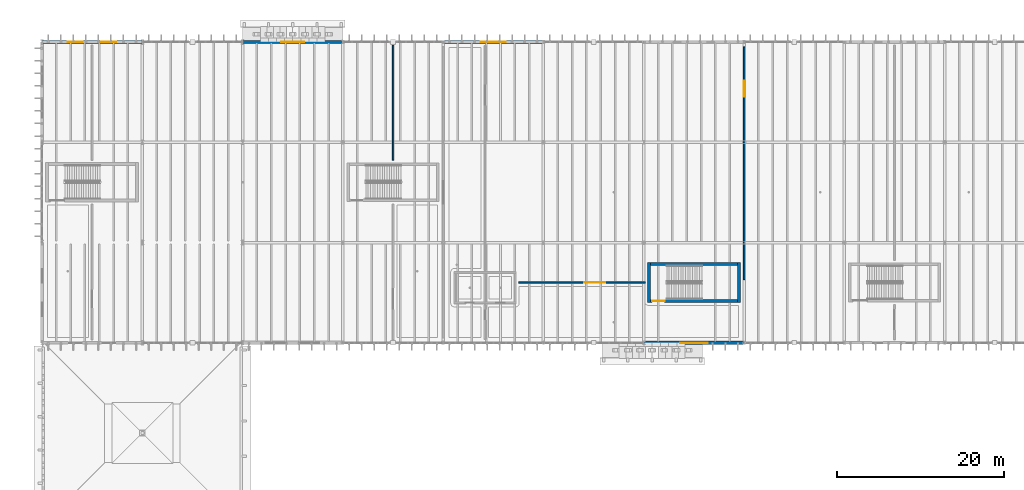
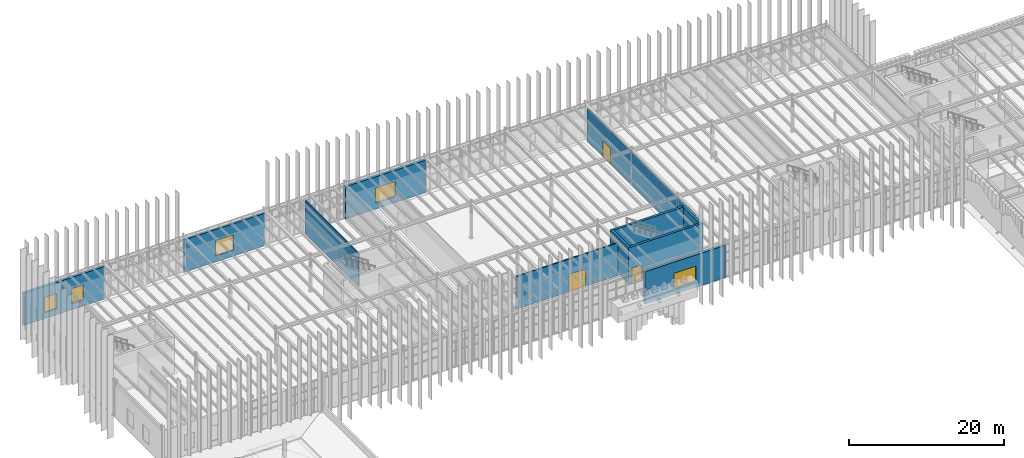
# One storey, part 47 of 83: 11 walls, 5 windows, 3 doors, 8 openings.
"""IFC4 building model written with IfcOpenShell, lengths in metres."""

from ifc_helpers import new_model, si_unit, direction, frame, frame_2d, origin, place, context, subcontext, project, spatial, rectangle, extrude, material, layer, layer_set, type_object, element, fill, save


model = new_model("IFC4")

# Units and contexts
model_context = context("Model", 3, precision=1e-05, world=origin(), true_north=direction((0.0, 1.0)))
body_context = subcontext(model_context, "Body", "Model", "MODEL_VIEW")
ifc_project = project(units=[si_unit("LENGTHUNIT", "METRE"), si_unit("AREAUNIT", "SQUARE_METRE"), si_unit("VOLUMEUNIT", "CUBIC_METRE"), si_unit("PLANEANGLEUNIT", "RADIAN"), si_unit("MASSUNIT", "GRAM", prefix="KILO")], contexts=[model_context])

# Site, building, storey
site_placement = place(None, origin())
site = spatial("IfcSite", under=ifc_project, at=site_placement, CompositionType="ELEMENT")
building_placement = place(site_placement, origin())
building = spatial("IfcBuilding", under=site, at=building_placement, Name="Zlatogorsky Bluff Art Gallery", CompositionType="ELEMENT")
storey_placement = place(building_placement, frame((0.0, 0.0, 10.800048828125)))
storey = spatial("IfcBuildingStorey", under=building, at=storey_placement, Name="L02", CompositionType="ELEMENT", Elevation=10.800048828125)

# Wall, openings, windows
ifc_material_1 = material(Name="Precast concrete C40/50", Category="concrete")
ifc_layer_1 = layer(ifc_material_1, 0.39990234375)
ifc_layer_set_1 = layer_set([ifc_layer_1], Name="Exterior Wall EW-02 400mm")
wall_type_1 = type_object("IfcWallType", Name="Exterior Wall EW-02 400mm", PredefinedType="SOLIDWALL", material=ifc_layer_set_1)
wall_1_placement = place(storey_placement, frame((12.0, 120.0, 0.0), z_axis=(0.0, 0.0, 1.0), x_axis=(-1.0, 0.0, 0.0)))
wall_1 = element("IfcWall", 1, at=wall_1_placement, inside=storey, type_object=wall_type_1, Name="Exterior wall EW-02 L02 N 0.10", PredefinedType="SOLIDWALL", context=body_context, shape_type="SweptSolid", body=[
    extrude(rectangle(XDim=12.0, YDim=0.39990234375, at=frame_2d((6.0, 0.0))), origin(), (0.0, 0.0, 1.0), 5.10986328125),
])
opening_1_placement = place(wall_1_placement, frame((3.10009765625, 0.0, 0.949951171875)))
opening_1 = element("IfcOpeningElement", 2, at=opening_1_placement, cuts=wall_1, Name="Opening WN-43", PredefinedType="OPENING", context=body_context, shape_type="SweptSolid", body=[
    extrude(rectangle(XDim=1.800048828125, YDim=2.39990234375, at=frame_2d((0.89990234375, 1.199951171875))), frame((0.0, 0.2099609375, 0.0), z_axis=(0.0, -1.0, 0.0), x_axis=(1.0, 0.0, 0.0)), (0.0, 0.0, 1.0), 0.419921875),
])
opening_2_placement = place(wall_1_placement, frame((7.10009765625, 0.0, 0.949951171875)))
opening_2 = element("IfcOpeningElement", 3, at=opening_2_placement, cuts=wall_1, Name="Opening WN-43", PredefinedType="OPENING", context=body_context, shape_type="SweptSolid", body=[
    extrude(rectangle(XDim=1.800048828125, YDim=2.39990234375, at=frame_2d((0.89990234375, 1.199951171875))), frame((0.0, 0.2099609375, 0.0), z_axis=(0.0, -1.0, 0.0), x_axis=(1.0, 0.0, 0.0)), (0.0, 0.0, 1.0), 0.419921875),
])
ifc_material_2 = material(Name="Bronze-Anodised Aluminium Triple Glazing", Category="aluminium")
window_type_1 = type_object("IfcWindowType", Name="Pointed-Reveal Window WN-43 1800x2400", PartitioningType="SINGLE_PANEL", PredefinedType="WINDOW", material=ifc_material_2)
window_1_placement = place(opening_1_placement, origin())
window_1 = element("IfcWindow", 4, at=window_1_placement, inside=storey, type_object=window_type_1, Name="Window WN-43 L02.N.0.10.1", OverallHeight=2.39990234375, OverallWidth=1.800048828125, PartitioningType="SINGLE_PANEL", PredefinedType="WINDOW", context=body_context, shape_type="SweptSolid", body=[
    extrude(rectangle(XDim=1.800048828125, YDim=2.39990234375, at=frame_2d((0.89990234375, 1.199951171875))), frame((0.0, 0.030029296875, 0.0), z_axis=(0.0, -1.0, 0.0), x_axis=(1.0, 0.0, 0.0)), (0.0, 0.0, 1.0), 0.06005859375),
])
fill(opening_1, window_1)
window_2_placement = place(opening_2_placement, origin())
window_2 = element("IfcWindow", 5, at=window_2_placement, inside=storey, type_object=window_type_1, Name="Window WN-43 L02.N.0.10.2", OverallHeight=2.39990234375, OverallWidth=1.800048828125, PartitioningType="SINGLE_PANEL", PredefinedType="WINDOW", context=body_context, shape_type="SweptSolid", body=[
    extrude(rectangle(XDim=1.800048828125, YDim=2.39990234375, at=frame_2d((0.89990234375, 1.199951171875))), frame((0.0, 0.030029296875, 0.0), z_axis=(0.0, -1.0, 0.0), x_axis=(1.0, 0.0, 0.0)), (0.0, 0.0, 1.0), 0.06005859375),
])
fill(opening_2, window_2)

# Wall, opening, window
wall_2_placement = place(storey_placement, frame((60.0, 120.0, 0.0), z_axis=(0.0, 0.0, 1.0), x_axis=(-1.0, 0.0, 0.0)))
wall_2 = element("IfcWall", 6, at=wall_2_placement, inside=storey, type_object=wall_type_1, Name="Exterior wall EW-02 L02 N 4.10", PredefinedType="SOLIDWALL", context=body_context, shape_type="SweptSolid", body=[
    extrude(rectangle(XDim=12.0, YDim=0.39990234375, at=frame_2d((6.0, 0.0))), origin(), (0.0, 0.0, 1.0), 5.10986328125),
])
opening_3_placement = place(wall_2_placement, frame((4.5, 0.0, 0.949951171875)))
opening_3 = element("IfcOpeningElement", 7, at=opening_3_placement, cuts=wall_2, Name="Opening WN-47", PredefinedType="OPENING", context=body_context, shape_type="SweptSolid", body=[
    extrude(rectangle(XDim=3.0, YDim=2.39990234375, at=frame_2d((1.5, 1.199951171875))), frame((0.0, 0.2099609375, 0.0), z_axis=(0.0, -1.0, 0.0), x_axis=(1.0, 0.0, 0.0)), (0.0, 0.0, 1.0), 0.419921875),
])
window_type_2 = type_object("IfcWindowType", Name="Pointed-Reveal Window WN-47 3000x2400", PartitioningType="SINGLE_PANEL", PredefinedType="WINDOW", material=ifc_material_2)
window_3_placement = place(opening_3_placement, origin())
window_3 = element("IfcWindow", 8, at=window_3_placement, inside=storey, type_object=window_type_2, Name="Window WN-47 L02.N.4.10.1", OverallHeight=2.39990234375, OverallWidth=3.0, PartitioningType="SINGLE_PANEL", PredefinedType="WINDOW", context=body_context, shape_type="SweptSolid", body=[
    extrude(rectangle(XDim=3.0, YDim=2.39990234375, at=frame_2d((1.5, 1.199951171875))), frame((0.0, 0.030029296875, 0.0), z_axis=(0.0, -1.0, 0.0), x_axis=(1.0, 0.0, 0.0)), (0.0, 0.0, 1.0), 0.06005859375),
])
fill(opening_3, window_3)

wall_3_placement = place(storey_placement, frame((72.0, 84.0, 0.0), z_axis=(0.0, 0.0, 1.0), x_axis=(1.0, 0.0, 0.0)))
wall_3 = element("IfcWall", 9, at=wall_3_placement, inside=storey, type_object=wall_type_1, Name="Exterior wall EW-02 L02 S 6.8", PredefinedType="SOLIDWALL", context=body_context, shape_type="SweptSolid", body=[
    extrude(rectangle(XDim=12.0, YDim=0.39990234375, at=frame_2d((6.0, 0.0))), origin(), (0.0, 0.0, 1.0), 5.10986328125),
])
opening_4_placement = place(wall_3_placement, frame((4.35009765625, 0.0, 0.949951171875)))
opening_4 = element("IfcOpeningElement", 10, at=opening_4_placement, cuts=wall_3, Name="Opening WN-48", PredefinedType="OPENING", context=body_context, shape_type="SweptSolid", body=[
    extrude(rectangle(XDim=3.300048828125, YDim=2.39990234375, at=frame_2d((1.64990234375, 1.199951171875))), frame((0.0, 0.2099609375, 0.0), z_axis=(0.0, -1.0, 0.0), x_axis=(1.0, 0.0, 0.0)), (0.0, 0.0, 1.0), 0.419921875),
])
window_type_3 = type_object("IfcWindowType", Name="Pointed-Reveal Window WN-48 3300x2400", PartitioningType="SINGLE_PANEL", PredefinedType="WINDOW", material=ifc_material_2)
window_4_placement = place(opening_4_placement, origin())
window_4 = element("IfcWindow", 11, at=window_4_placement, inside=storey, type_object=window_type_3, Name="Window WN-48 L02.S.6.8.1", OverallHeight=2.39990234375, OverallWidth=3.300048828125, PartitioningType="SINGLE_PANEL", PredefinedType="WINDOW", context=body_context, shape_type="SweptSolid", body=[
    extrude(rectangle(XDim=3.300048828125, YDim=2.39990234375, at=frame_2d((1.64990234375, 1.199951171875))), frame((0.0, 0.030029296875, 0.0), z_axis=(0.0, -1.0, 0.0), x_axis=(1.0, 0.0, 0.0)), (0.0, 0.0, 1.0), 0.06005859375),
])
fill(opening_4, window_4)

ifc_layer_2 = layer(ifc_material_1, 0.320068359375)
ifc_layer_set_2 = layer_set([ifc_layer_2], Name="Exterior Wall EW-04 320mm")
wall_type_2 = type_object("IfcWallType", Name="Exterior Wall EW-04 320mm", PredefinedType="SOLIDWALL", material=ifc_layer_set_2)
wall_4_placement = place(storey_placement, frame((36.0, 120.0, 0.0), z_axis=(0.0, 0.0, 1.0), x_axis=(-1.0, 0.0, 0.0)))
wall_4 = element("IfcWall", 12, at=wall_4_placement, inside=storey, type_object=wall_type_2, Name="Exterior wall EW-04 L02 N 2.10", PredefinedType="SOLIDWALL", context=body_context, shape_type="SweptSolid", body=[
    extrude(rectangle(XDim=12.0, YDim=0.320068359375, at=frame_2d((6.0, 0.0))), origin(), (0.0, 0.0, 1.0), 5.10986328125),
])
opening_5_placement = place(wall_4_placement, frame((4.64990234375, 0.0, 0.949951171875)))
opening_5 = element("IfcOpeningElement", 13, at=opening_5_placement, cuts=wall_4, Name="Opening WN-46", PredefinedType="OPENING", context=body_context, shape_type="SweptSolid", body=[
    extrude(rectangle(XDim=2.699951171875, YDim=2.39990234375, at=frame_2d((1.35009765625, 1.199951171875))), frame((0.0, 0.169921875, 0.0), z_axis=(0.0, -1.0, 0.0), x_axis=(1.0, 0.0, 0.0)), (0.0, 0.0, 1.0), 0.340087890625),
])
window_type_4 = type_object("IfcWindowType", Name="Pointed-Reveal Window WN-46 2700x2400", PartitioningType="SINGLE_PANEL", PredefinedType="WINDOW", material=ifc_material_2)
window_5_placement = place(opening_5_placement, origin())
window_5 = element("IfcWindow", 14, at=window_5_placement, inside=storey, type_object=window_type_4, Name="Window WN-46 L02.N.2.10.1", OverallHeight=2.39990234375, OverallWidth=2.699951171875, PartitioningType="SINGLE_PANEL", PredefinedType="WINDOW", context=body_context, shape_type="SweptSolid", body=[
    extrude(rectangle(XDim=2.699951171875, YDim=2.39990234375, at=frame_2d((1.35009765625, 1.199951171875))), frame((0.0, 0.030029296875, 0.0), z_axis=(0.0, -1.0, 0.0), x_axis=(1.0, 0.0, 0.0)), (0.0, 0.0, 1.0), 0.06005859375),
])
fill(opening_5, window_5)

# Wall
ifc_material_3 = material(Name="Concrete C30/37", Category="concrete")
ifc_layer_3 = layer(ifc_material_3, 0.179931640625)
ifc_layer_set_3 = layer_set([ifc_layer_3], Name="Interior Wall IW-02 180mm")
wall_type_3 = type_object("IfcWallType", Name="Interior Wall IW-02 180mm", PredefinedType="PARTITIONING", material=ifc_layer_set_3)
wall_5_placement = place(storey_placement, frame((42.0, 105.8701171875, 0.0), z_axis=(0.0, 0.0, 1.0), x_axis=(0.0, 1.0, 0.0)))
element("IfcWall", 15, at=wall_5_placement, inside=storey, type_object=wall_type_3, Name="Partition IW-02 between L02-G1-12 and L02-G1-13-S2", PredefinedType="PARTITIONING", context=body_context, shape_type="SweptSolid", body=[
    extrude(rectangle(XDim=13.75, YDim=0.179931640625, at=frame_2d((6.875, 0.0))), origin(), (0.0, 0.0, 1.0), 5.179931640625),
])

# Wall, opening, door
wall_6_placement = place(storey_placement, frame((57.02001953125, 91.22509765625, 0.0), z_axis=(0.0, 0.0, 1.0), x_axis=(1.0, 0.0, 0.0)))
wall_6 = element("IfcWall", 16, at=wall_6_placement, inside=storey, type_object=wall_type_3, Name="Partition IW-02 between L02-G2-12 and L02-G2-13", PredefinedType="PARTITIONING", context=body_context, shape_type="SweptSolid", body=[
    extrude(rectangle(XDim=15.159912109375, YDim=0.179931640625, at=frame_2d((7.580078125, 0.0))), origin(), (0.0, 0.0, 1.0), 5.179931640625),
])
opening_6_placement = place(wall_6_placement, frame((7.845947265625, 0.0, 0.0)))
opening_6 = element("IfcOpeningElement", 17, at=opening_6_placement, cuts=wall_6, Name="Opening ID-15", PredefinedType="OPENING", context=body_context, shape_type="SweptSolid", body=[
    extrude(rectangle(XDim=2.5, YDim=2.75, at=frame_2d((1.25, 1.375))), frame((0.0, 0.099853515625, 0.0), z_axis=(0.0, -1.0, 0.0), x_axis=(1.0, 0.0, 0.0)), (0.0, 0.0, 1.0), 0.199951171875),
])
ifc_material_4 = material(Name="Anodised Aluminium and Laminated Timber", Category="wood")
door_type_1 = type_object("IfcDoorType", Name="Interior Door ID-15 2500x2750", OperationType="DOUBLE_DOOR_SINGLE_SWING", PredefinedType="DOOR", material=ifc_material_4)
door_1_placement = place(opening_6_placement, origin())
door_1 = element("IfcDoor", 18, at=door_1_placement, inside=storey, type_object=door_type_1, Name="Door ID-15 L02-G2-12-L02-G2-13", OperationType="DOUBLE_DOOR_SINGLE_SWING", OverallHeight=2.75, OverallWidth=2.5, PredefinedType="DOOR", context=body_context, shape_type="SweptSolid", body=[
    extrude(rectangle(XDim=2.5, YDim=2.75, at=frame_2d((1.25, 1.375))), frame((0.0, 0.02490234375, 0.0), z_axis=(0.0, -1.0, 0.0), x_axis=(1.0, 0.0, 0.0)), (0.0, 0.0, 1.0), 0.050048828125),
])
fill(opening_6, door_1)

wall_7_placement = place(storey_placement, frame((84.0, 91.5625, 0.0), z_axis=(0.0, 0.0, 1.0), x_axis=(0.0, 1.0, 0.0)))
wall_7 = element("IfcWall", 19, at=wall_7_placement, inside=storey, type_object=wall_type_3, Name="Partition IW-02 between L02-G2-13 and L02-G3-11", PredefinedType="PARTITIONING", context=body_context, shape_type="SweptSolid", body=[
    extrude(rectangle(XDim=27.843017578125, YDim=0.179931640625, at=frame_2d((13.92138671875, 0.0))), origin(), (0.0, 0.0, 1.0), 5.179931640625),
])
opening_7_placement = place(wall_7_placement, frame((21.85595703125, 0.0, 0.0)))
opening_7 = element("IfcOpeningElement", 20, at=opening_7_placement, cuts=wall_7, Name="Opening ID-12", PredefinedType="OPENING", context=body_context, shape_type="SweptSolid", body=[
    extrude(rectangle(XDim=1.949951171875, YDim=2.449951171875, at=frame_2d((0.97509765625, 1.22509765625))), frame((0.0, 0.099853515625, 0.0), z_axis=(0.0, -1.0, 0.0), x_axis=(1.0, 0.0, 0.0)), (0.0, 0.0, 1.0), 0.199951171875),
])
door_type_2 = type_object("IfcDoorType", Name="Interior Door ID-12 1950x2450", OperationType="DOUBLE_DOOR_SINGLE_SWING", PredefinedType="DOOR", material=ifc_material_4)
door_2_placement = place(opening_7_placement, origin())
door_2 = element("IfcDoor", 21, at=door_2_placement, inside=storey, type_object=door_type_2, Name="Door ID-12 L02-G2-13-L02-G3-11", OperationType="DOUBLE_DOOR_SINGLE_SWING", OverallHeight=2.449951171875, OverallWidth=1.949951171875, PredefinedType="DOOR", context=body_context, shape_type="SweptSolid", body=[
    extrude(rectangle(XDim=1.949951171875, YDim=2.449951171875, at=frame_2d((0.97509765625, 1.22509765625))), frame((0.0, 0.02490234375, 0.0), z_axis=(0.0, -1.0, 0.0), x_axis=(1.0, 0.0, 0.0)), (0.0, 0.0, 1.0), 0.050048828125),
])
fill(opening_7, door_2)

ifc_material_5 = material(Name="Concrete C35/45", Category="concrete")
ifc_layer_4 = layer(ifc_material_5, 0.35009765625)
ifc_layer_set_4 = layer_set([ifc_layer_4], Name="Interior Wall SW-02 350mm")
wall_type_4 = type_object("IfcWallType", Name="Interior Wall SW-02 350mm", PredefinedType="SHEAR", material=ifc_layer_set_4)
wall_8_placement = place(storey_placement, frame((72.449951171875, 89.02490234375, 0.0), z_axis=(0.0, 0.0, 1.0), x_axis=(1.0, 0.0, 0.0)))
wall_8 = element("IfcWall", 22, at=wall_8_placement, inside=storey, type_object=wall_type_4, Name="Stair ST-08 enclosure wall L02 W0", PredefinedType="SHEAR", context=body_context, shape_type="SweptSolid", body=[
    extrude(rectangle(XDim=11.10009765625, YDim=0.35009765625, at=frame_2d((5.550048828125, 0.0))), origin(), (0.0, 0.0, 1.0), 5.68994140625),
])
opening_8_placement = place(wall_8_placement, frame((0.550048828125, 0.0, 0.0)))
opening_8 = element("IfcOpeningElement", 23, at=opening_8_placement, cuts=wall_8, Name="Opening FD-03", PredefinedType="OPENING", context=body_context, shape_type="SweptSolid", body=[
    extrude(rectangle(XDim=1.47998046875, YDim=2.300048828125, at=frame_2d((0.739990234375, 1.14990234375))), frame((0.0, 0.18505859375, 0.0), z_axis=(0.0, -1.0, 0.0), x_axis=(1.0, 0.0, 0.0)), (0.0, 0.0, 1.0), 0.3701171875),
])
door_type_3 = type_object("IfcDoorType", Name="Interior Door FD-03 1480x2300", OperationType="DOUBLE_DOOR_SINGLE_SWING", PredefinedType="DOOR", material=ifc_material_4)
door_3_placement = place(opening_8_placement, origin())
door_3 = element("IfcDoor", 24, at=door_3_placement, inside=storey, type_object=door_type_3, Name="Stair ST-08 fire door L02", OperationType="DOUBLE_DOOR_SINGLE_SWING", OverallHeight=2.300048828125, OverallWidth=1.47998046875, PredefinedType="DOOR", context=body_context, shape_type="SweptSolid", body=[
    extrude(rectangle(XDim=1.47998046875, YDim=2.300048828125, at=frame_2d((0.739990234375, 1.14990234375))), frame((0.0, 0.02490234375, 0.0), z_axis=(0.0, -1.0, 0.0), x_axis=(1.0, 0.0, 0.0)), (0.0, 0.0, 1.0), 0.050048828125),
])
fill(opening_8, door_3)

# Walls
wall_9_placement = place(storey_placement, frame((83.375, 88.85009765625, 0.0), z_axis=(0.0, 0.0, 1.0), x_axis=(0.0, 1.0, 0.0)))
element("IfcWall", 25, at=wall_9_placement, inside=storey, type_object=wall_type_4, Name="Stair ST-08 enclosure wall L02 FEND", PredefinedType="SHEAR", context=body_context, shape_type="SweptSolid", body=[
    extrude(rectangle(XDim=4.75, YDim=0.35009765625, at=frame_2d((2.375, 0.0))), origin(), (0.0, 0.0, 1.0), 5.68994140625),
])
wall_10_placement = place(storey_placement, frame((83.550048828125, 93.425048828125, 0.0), z_axis=(0.0, 0.0, 1.0), x_axis=(-1.0, 0.0, 0.0)))
element("IfcWall", 26, at=wall_10_placement, inside=storey, type_object=wall_type_4, Name="Stair ST-08 enclosure wall L02 W1", PredefinedType="SHEAR", context=body_context, shape_type="SweptSolid", body=[
    extrude(rectangle(XDim=11.10009765625, YDim=0.35009765625, at=frame_2d((5.550048828125, 0.0))), origin(), (0.0, 0.0, 1.0), 5.68994140625),
])
wall_11_placement = place(storey_placement, frame((72.625, 93.60009765625, 0.0), z_axis=(0.0, 0.0, 1.0), x_axis=(0.0, -1.0, 0.0)))
element("IfcWall", 27, at=wall_11_placement, inside=storey, type_object=wall_type_4, Name="Stair ST-08 enclosure wall L02 LEND", PredefinedType="SHEAR", context=body_context, shape_type="SweptSolid", body=[
    extrude(rectangle(XDim=4.75, YDim=0.35009765625, at=frame_2d((2.375, 0.0))), origin(), (0.0, 0.0, 1.0), 5.68994140625),
])

save(model, "model.ifc")
